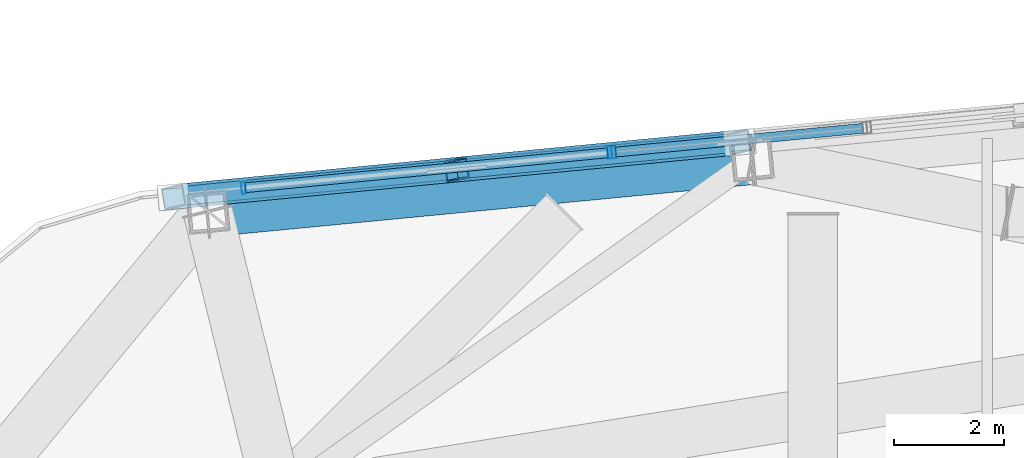
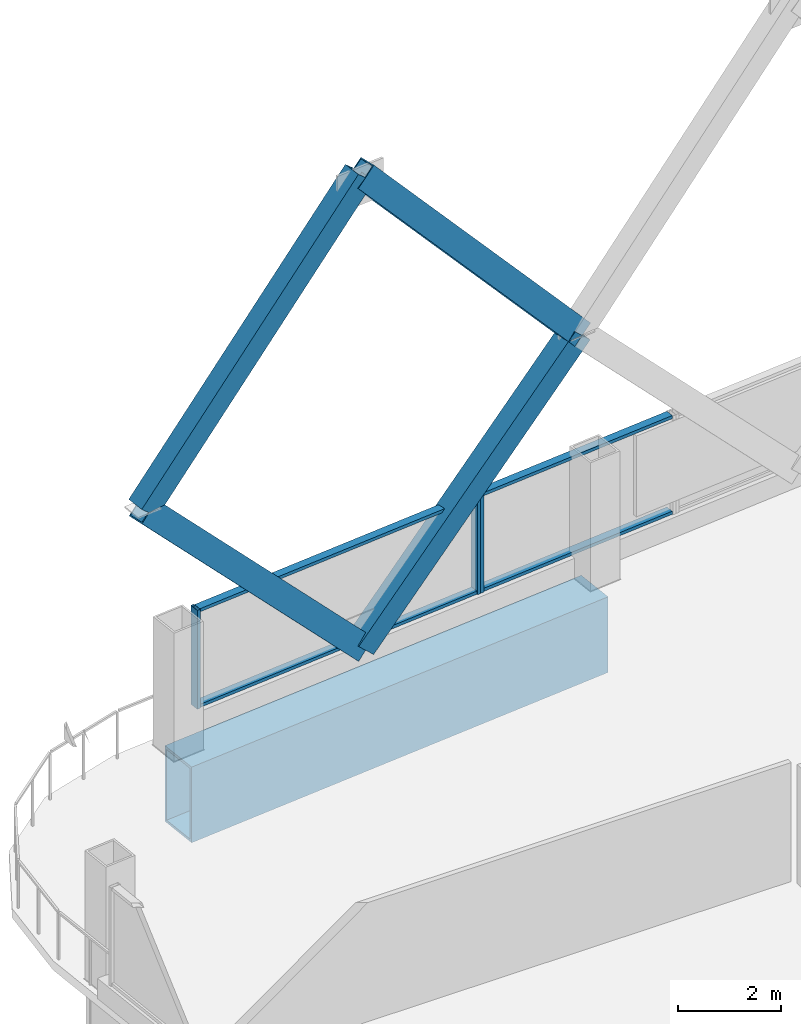
# One storey, part 22 of 37: 11 members, 1 beam, 2 elements without a shape of their own.
"""IFC4 building model written with IfcOpenShell, lengths in metres."""

from ifc_helpers import new_model, si_unit, direction, frame, origin, origin_2d, place, context, subcontext, project, spatial, hollow_rectangle, extrude, material, layer, layer_set, material_profile, profile_set, type_object, element, aggregate, save


model = new_model("IFC4")

# Units and contexts
model_context = context("Model", 3, precision=1e-05, world=origin(), true_north=direction((0.0, 1.0)))
body_context = subcontext(model_context, "Body", "Model", "MODEL_VIEW")
ifc_project = project(units=[si_unit("LENGTHUNIT", "METRE"), si_unit("AREAUNIT", "SQUARE_METRE"), si_unit("VOLUMEUNIT", "CUBIC_METRE"), si_unit("PLANEANGLEUNIT", "RADIAN"), si_unit("MASSUNIT", "GRAM", prefix="KILO")], contexts=[model_context])

# Site, building, storey
site_placement = place(None, origin())
site = spatial("IfcSite", under=ifc_project, at=site_placement, CompositionType="ELEMENT")
building_placement = place(site_placement, origin())
building = spatial("IfcBuilding", under=site, at=building_placement, Name="Qhalaya Broadcast Tower", CompositionType="ELEMENT")
storey_placement = place(building_placement, frame((0.0, 0.0, 156.14990234375)))
storey = spatial("IfcBuildingStorey", under=building, at=storey_placement, Name="L45", CompositionType="ELEMENT", Elevation=156.14990234375)

# Beam
ifc_material_1 = material(Name="Structural Steel ASTM A572 Grade 50", Category="steel")
ifc_material_profile_1 = material_profile(ifc_material_1, hollow_rectangle(XDim=0.89990234375, YDim=1.800048828125, WallThickness=0.06005859375, at=origin_2d()), Name="BOX 900x1800x60")
ifc_profile_set_1 = profile_set([ifc_material_profile_1], Name="Structural Steel ASTM A572 Grade 50")
beam_type = type_object("IfcBeamType", Name="Block Cantilever Transfer Box Girder TG1", PredefinedType="USERDEFINED", material=ifc_profile_set_1)
beam_placement = place(storey_placement, frame((-10.4794921875, 23.6171875, -1.119873046875), z_axis=(-0.995398071879, -0.095826293365, 0.0), x_axis=(0.095826293365, -0.995398071879, 0.0)))
element("IfcBeam", 1, at=beam_placement, inside=storey, type_object=beam_type, Name="L45 TG1 L45-SPR-11", ObjectType="GIRDER", PredefinedType="USERDEFINED", context=body_context, shape_type="SweptSolid", body=[
    extrude(hollow_rectangle(XDim=0.89990234375, YDim=1.800048828125, WallThickness=0.06005859375, at=origin_2d()), origin(), (0.0, 0.0, 1.0), 9.966796875),
])

# Members
ifc_material_profile_2 = material_profile(ifc_material_1, hollow_rectangle(XDim=0.39990234375, YDim=0.550048828125, WallThickness=0.02490234375, at=origin_2d()), Name="BOX 400x550x25")
ifc_profile_set_2 = profile_set([ifc_material_profile_2], Name="Structural Steel ASTM A572 Grade 50")
member_type_1 = type_object("IfcMemberType", Name="Exoskeleton Diamond Diagonal Mid-High EX3", PredefinedType="BRACE", material=ifc_profile_set_2)
for number, where, z_axis, x_axis, name in (
    (2, (-15.87060546875, 23.439697265625, 0.360107421875), (0.690631901239, 0.066504325889, 0.720142174594), (-0.164115000923, 0.984197121098, 0.066500325516), "B4 Exoskeleton Diamond Brace N3-D1"),
    (3, (-15.87060546875, 23.439697265625, 0.360107421875), (-0.690650493947, -0.066470289803, 0.720127485786), (0.164063014363, -0.98420568972, 0.066501786743), "B4 Exoskeleton Diamond Brace N3-D2"),
):
    element("IfcMember", number, at=place(storey_placement, frame(where, z_axis=z_axis, x_axis=x_axis)), inside=storey, type_object=member_type_1, Name=name, PredefinedType="BRACE", context=body_context, shape_type="SweptSolid", body=[
        extrude(hollow_rectangle(XDim=0.39990234375, YDim=0.550048828125, WallThickness=0.02490234375, at=origin_2d()), origin(), (0.0, 0.0, 1.0), 7.470703125),
    ])
member_1_placement = place(storey_placement, frame((-10.711181640625, 23.9365234375, 5.739990234375), z_axis=(-0.659476642868, -0.06350423358, 0.749037896123), x_axis=(0.166871781183, -0.983931657235, 0.063500413668)))
element("IfcMember", 4, at=member_1_placement, inside=storey, type_object=member_type_1, Name="B4 Exoskeleton Diamond Brace N3-D3", PredefinedType="BRACE", context=body_context, shape_type="SweptSolid", body=[
    extrude(hollow_rectangle(XDim=0.39990234375, YDim=0.550048828125, WallThickness=0.02490234375, at=origin_2d()), origin(), (0.0, 0.0, 1.0), 7.823486328125),
])
member_2_placement = place(storey_placement, frame((-21.0302734375, 22.943115234375, 5.739990234375), z_axis=(0.659495583104, 0.063471847073, 0.749023965234), x_axis=(-0.166819880573, 0.983940360589, 0.063501923201)))
element("IfcMember", 5, at=member_2_placement, inside=storey, type_object=member_type_1, Name="B4 Exoskeleton Diamond Brace N3-D4", PredefinedType="BRACE", context=body_context, shape_type="SweptSolid", body=[
    extrude(hollow_rectangle(XDim=0.39990234375, YDim=0.550048828125, WallThickness=0.02490234375, at=origin_2d()), origin(), (0.0, 0.0, 1.0), 7.82373046875),
])

# Curtain wall, member
ifc_material_2 = material(Name="Solar-Control Low-E Triple Glazing", Category="glass")
ifc_layer_1 = layer(ifc_material_2, 0.219970703125, Name="Solar-Control Low-E Triple Glazing")
ifc_layer_set_1 = layer_set([ifc_layer_1], Name="Solar-Control Low-E Triple Glazing")
curtain_wall_type_1 = type_object("IfcCurtainWallType", Name="Even-Block 4-Storey Double-Module Curtain Wall CW-03", PredefinedType="NOTDEFINED", material=ifc_layer_set_1)
curtain_wall_1_placement = place(storey_placement, origin())
curtain_wall_1 = element("IfcCurtainWall", 6, at=curtain_wall_1_placement, inside=storey, type_object=curtain_wall_type_1, Name="L45 Unitised Curtain Wall L45-CW-N4", PredefinedType="NOTDEFINED")
ifc_material_3 = material(Name="Anodised Aluminium 6063-T6", Category="aluminium")
ifc_material_profile_3 = material_profile(ifc_material_3, hollow_rectangle(XDim=0.074951171875, YDim=0.219970703125, WallThickness=0.00390625, at=origin_2d()), Name="ALU-MUL 75x220x4")
ifc_profile_set_3 = profile_set([ifc_material_profile_3], Name="Anodised Aluminium 6063-T6")
member_type_2 = type_object("IfcMemberType", Name="Unitised Curtain-Wall Mullion M01", PredefinedType="MULLION", material=ifc_profile_set_3)
member_3_placement = place(storey_placement, frame((-13.003662109375, 23.756103515625, 0.47998046875), z_axis=(0.0, 0.0, 1.0), x_axis=(-0.995395691478, -0.095851016624, 0.0)))
member_3 = element("IfcMember", 7, at=member_3_placement, type_object=member_type_2, Name="CW-03 mullion 2", PredefinedType="MULLION", context=body_context, shape_type="SweptSolid", body=[
    extrude(hollow_rectangle(XDim=0.074951171875, YDim=0.219970703125, WallThickness=0.00390625, at=origin_2d()), origin(), (0.0, 0.0, 1.0), 2.35009765625),
])

# Curtain wall, members
ifc_material_4 = material(Name="Fired Architectural Terracotta", Category="masonry")
ifc_layer_2 = layer(ifc_material_4, 0.219970703125, Name="Fired Architectural Terracotta")
ifc_layer_set_2 = layer_set([ifc_layer_2], Name="Fired Architectural Terracotta")
curtain_wall_type_2 = type_object("IfcCurtainWallType", Name="Block-Cap Unitised Terracotta Spandrel Wall CW-07", PredefinedType="NOTDEFINED", material=ifc_layer_set_2)
curtain_wall_2_placement = place(storey_placement, origin())
curtain_wall_2 = element("IfcCurtainWall", 8, at=curtain_wall_2_placement, inside=storey, type_object=curtain_wall_type_2, Name="L45 Unitised Curtain Wall L45-CW-N5", PredefinedType="NOTDEFINED")
member_4_placement = place(storey_placement, frame((-13.078369140625, 23.748779296875, 0.47998046875), z_axis=(0.0, 0.0, 1.0), x_axis=(-0.99539669829, -0.095840560477, 0.0)))
member_4 = element("IfcMember", 9, at=member_4_placement, type_object=member_type_2, Name="CW-07 mullion 1", PredefinedType="MULLION", context=body_context, shape_type="SweptSolid", body=[
    extrude(hollow_rectangle(XDim=0.074951171875, YDim=0.219970703125, WallThickness=0.00390625, at=origin_2d()), origin(), (0.0, 0.0, 1.0), 2.35009765625),
])
member_5_placement = place(storey_placement, frame((-19.75244140625, 23.106201171875, 0.47998046875), z_axis=(0.0, 0.0, 1.0), x_axis=(-0.99539669829, -0.095840560477, 0.0)))
member_5 = element("IfcMember", 10, at=member_5_placement, type_object=member_type_2, Name="CW-07 mullion 2", PredefinedType="MULLION", context=body_context, shape_type="SweptSolid", body=[
    extrude(hollow_rectangle(XDim=0.074951171875, YDim=0.219970703125, WallThickness=0.00390625, at=origin_2d()), origin(), (0.0, 0.0, 1.0), 2.35009765625),
])

# Member
ifc_material_profile_4 = material_profile(ifc_material_3, hollow_rectangle(XDim=0.074951171875, YDim=0.179931640625, WallThickness=0.00390625, at=origin_2d()), Name="ALU-TRN 75x180x4")
ifc_profile_set_4 = profile_set([ifc_material_profile_4], Name="Anodised Aluminium 6063-T6")
member_type_3 = type_object("IfcMemberType", Name="Unitised Curtain-Wall Transom T01", PredefinedType="USERDEFINED", material=ifc_profile_set_4)
member_6_placement = place(storey_placement, frame((-8.463134765625, 24.193115234375, 0.517578125), z_axis=(-0.995396463484, -0.095842999141, 0.0), x_axis=(0.0, 0.0, 1.0)))
member_6 = element("IfcMember", 11, at=member_6_placement, type_object=member_type_3, Name="CW-03 transom 1.1", ObjectType="TRANSOM", PredefinedType="USERDEFINED", context=body_context, shape_type="SweptSolid", body=[
    extrude(hollow_rectangle(XDim=0.074951171875, YDim=0.179931640625, WallThickness=0.00390625, at=origin_2d()), origin(), (0.0, 0.0, 1.0), 4.52392578125),
])

member_7_placement = place(storey_placement, frame((-8.463134765625, 24.193115234375, 2.79248046875), z_axis=(-0.995396463484, -0.095842999141, 0.0), x_axis=(0.0, 0.0, 1.0)))
member_7 = element("IfcMember", 12, at=member_7_placement, type_object=member_type_3, Name="CW-03 transom 1.2", ObjectType="TRANSOM", PredefinedType="USERDEFINED", context=body_context, shape_type="SweptSolid", body=[
    extrude(hollow_rectangle(XDim=0.074951171875, YDim=0.179931640625, WallThickness=0.00390625, at=origin_2d()), origin(), (0.0, 0.0, 1.0), 4.52392578125),
])

aggregate(curtain_wall_1, [member_3, member_6, member_7])

member_8_placement = place(storey_placement, frame((-13.11572265625, 23.7451171875, 0.517578125), z_axis=(-0.995398970792, -0.095816955422, 0.0), x_axis=(0.0, 0.0, 1.0)))
member_8 = element("IfcMember", 13, at=member_8_placement, type_object=member_type_3, Name="CW-07 transom 1.1", ObjectType="TRANSOM", PredefinedType="USERDEFINED", context=body_context, shape_type="SweptSolid", body=[
    extrude(hollow_rectangle(XDim=0.074951171875, YDim=0.179931640625, WallThickness=0.00390625, at=origin_2d()), origin(), (0.0, 0.0, 1.0), 6.6298828125),
])

member_9_placement = place(storey_placement, frame((-13.11572265625, 23.7451171875, 2.79248046875), z_axis=(-0.995398970792, -0.095816955422, 0.0), x_axis=(0.0, 0.0, 1.0)))
member_9 = element("IfcMember", 14, at=member_9_placement, type_object=member_type_3, Name="CW-07 transom 1.2", ObjectType="TRANSOM", PredefinedType="USERDEFINED", context=body_context, shape_type="SweptSolid", body=[
    extrude(hollow_rectangle(XDim=0.074951171875, YDim=0.179931640625, WallThickness=0.00390625, at=origin_2d()), origin(), (0.0, 0.0, 1.0), 6.6298828125),
])

aggregate(curtain_wall_2, [member_4, member_5, member_8, member_9])

save(model, "model.ifc")
